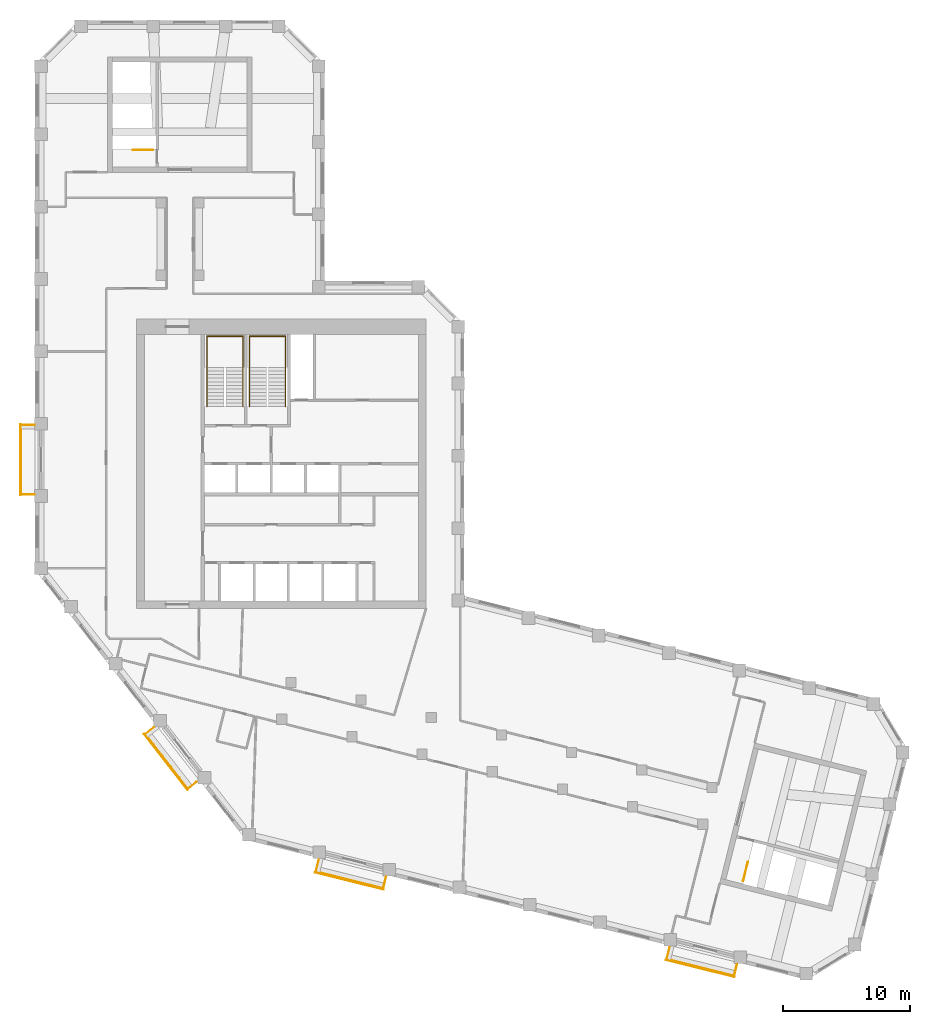
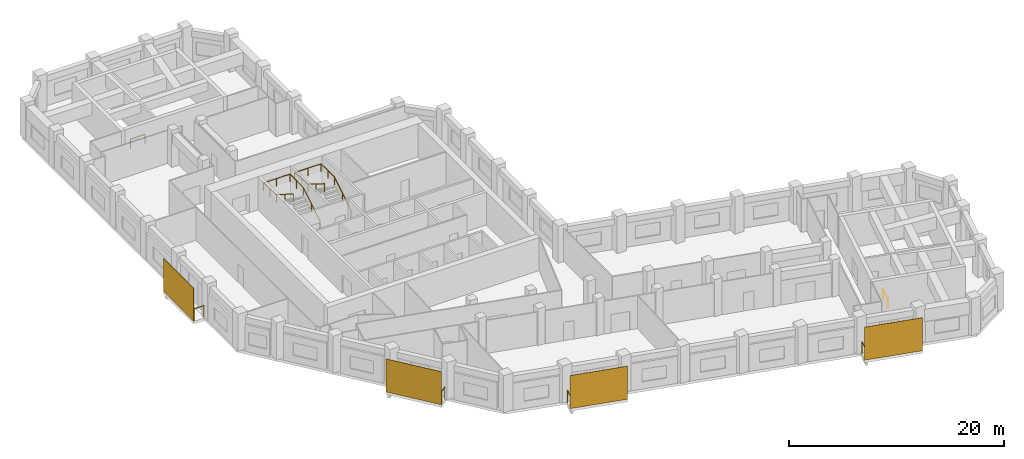
# One storey, part 9 of 9: 8 railings, 4 shading devices.
"""IFC4 building model written with IfcOpenShell, lengths in metres."""

from ifc_helpers import new_model, si_unit, direction, frame, origin, origin_2d, place, context, subcontext, project, spatial, rectangle, circle, extrude, material, layer, layer_set, type_object, element, save


model = new_model("IFC4")

# Units and contexts
model_context = context("Model", 3, precision=1e-05, world=origin(), true_north=direction((0.0, 1.0)))
body_context = subcontext(model_context, "Body", "Model", "MODEL_VIEW")
ifc_project = project(units=[si_unit("LENGTHUNIT", "METRE"), si_unit("AREAUNIT", "SQUARE_METRE"), si_unit("VOLUMEUNIT", "CUBIC_METRE"), si_unit("PLANEANGLEUNIT", "RADIAN"), si_unit("MASSUNIT", "GRAM", prefix="KILO")], contexts=[model_context])

# Site, building, storey
site_placement = place(None, origin())
site = spatial("IfcSite", under=ifc_project, at=site_placement, CompositionType="ELEMENT")
building_placement = place(site_placement, origin())
building = spatial("IfcBuilding", under=site, at=building_placement, Name="Meshkara Civic Tower", CompositionType="ELEMENT")
storey_placement = place(building_placement, frame((0.0, 0.0, 344.39990234375)))
storey = spatial("IfcBuildingStorey", under=building, at=storey_placement, Name="L79", CompositionType="ELEMENT", Elevation=344.39990234375)

# Railings
ifc_material_1 = material(Name="Steel S355", Category="steel")
railing_type_1 = type_object("IfcRailingType", Name="BALUSTRADE GUARD 1400", PredefinedType="BALUSTRADE", material=ifc_material_1)
railing_1_placement = place(storey_placement, frame((-0.050048828125, 28.534912109375, 0.0)))
element("IfcRailing", 1, at=railing_1_placement, inside=storey, type_object=railing_type_1, Name="Balcony guard", PredefinedType="BALUSTRADE", context=body_context, shape_type="SweptSolid", body=[
    extrude(circle(Radius=0.02392578125, at=origin_2d()), frame((0.0, 0.0, 1.3759765625), z_axis=(-1.0, 0.0, 0.0), x_axis=(0.0, -1.0, 0.0)), (0.0, 0.0, 1.0), 1.06005859375),
    extrude(circle(Radius=0.02392578125, at=origin_2d()), frame((-1.06005859375, 0.0, 1.3759765625), z_axis=(0.0, -1.0, 0.0), x_axis=(1.0, 0.0, 0.0)), (0.0, 0.0, 1.0), 5.4599609375),
    extrude(circle(Radius=0.02392578125, at=origin_2d()), frame((-1.06005859375, -5.4599609375, 1.3759765625), z_axis=(1.0, 0.0, 0.0), x_axis=(0.0, 1.0, 0.0)), (0.0, 0.0, 1.0), 1.06005859375),
    extrude(circle(Radius=0.02099609375, at=origin_2d()), origin(), (0.0, 0.0, 1.0), 1.351806640625),
    extrude(circle(Radius=0.02099609375, at=origin_2d()), frame((-1.06005859375, 0.0, 0.0)), (0.0, 0.0, 1.0), 1.351806640625),
    extrude(circle(Radius=0.02099609375, at=origin_2d()), frame((-1.06005859375, -1.092041015625, 0.0)), (0.0, 0.0, 1.0), 1.351806640625),
    extrude(circle(Radius=0.02099609375, at=origin_2d()), frame((-1.06005859375, -2.18408203125, 0.0)), (0.0, 0.0, 1.0), 1.351806640625),
    extrude(circle(Radius=0.02099609375, at=origin_2d()), frame((-1.06005859375, -3.27587890625, 0.0)), (0.0, 0.0, 1.0), 1.351806640625),
    extrude(circle(Radius=0.02099609375, at=origin_2d()), frame((-1.06005859375, -4.367919921875, 0.0)), (0.0, 0.0, 1.0), 1.351806640625),
    extrude(circle(Radius=0.02099609375, at=origin_2d()), frame((-1.06005859375, -5.4599609375, 0.0)), (0.0, 0.0, 1.0), 1.351806640625),
    extrude(circle(Radius=0.02099609375, at=origin_2d()), frame((0.0, -5.4599609375, 0.0)), (0.0, 0.0, 1.0), 1.351806640625),
])
railing_2_placement = place(storey_placement, frame((9.35400390625, 4.718017578125, 0.0)))
element("IfcRailing", 2, at=railing_2_placement, inside=storey, type_object=railing_type_1, Name="Balcony guard", PredefinedType="BALUSTRADE", context=body_context, shape_type="SweptSolid", body=[
    extrude(circle(Radius=0.02392578125, at=origin_2d()), frame((0.0, 0.0, 1.3759765625), z_axis=(-0.788063205069, -0.61559433462, 0.0), x_axis=(0.61559433462, -0.788063205069, 0.0)), (0.0, 0.0, 1.0), 0.85791015625),
    extrude(circle(Radius=0.02392578125, at=origin_2d()), frame((-0.676025390625, -0.528076171875, 1.3759765625), z_axis=(0.615660530481, -0.788011491799, 0.0), x_axis=(0.788011491799, 0.615660530481, 0.0)), (0.0, 0.0, 1.0), 5.459228515625),
    extrude(circle(Radius=0.02392578125, at=origin_2d()), frame((2.68505859375, -4.830078125, 1.3759765625), z_axis=(0.788063205069, 0.61559433462, 0.0), x_axis=(-0.61559433462, 0.788063205069, 0.0)), (0.0, 0.0, 1.0), 0.85791015625),
    extrude(circle(Radius=0.02099609375, at=origin_2d()), origin(), (0.0, 0.0, 1.0), 1.351806640625),
    extrude(circle(Radius=0.02099609375, at=origin_2d()), frame((-0.676025390625, -0.528076171875, 0.0)), (0.0, 0.0, 1.0), 1.351806640625),
    extrude(circle(Radius=0.02099609375, at=origin_2d()), frame((-0.00390625, -1.388427734375, 0.0)), (0.0, 0.0, 1.0), 1.351806640625),
    extrude(circle(Radius=0.02099609375, at=origin_2d()), frame((0.66845703125, -2.248779296875, 0.0)), (0.0, 0.0, 1.0), 1.351806640625),
    extrude(circle(Radius=0.02099609375, at=origin_2d()), frame((1.340576171875, -3.109375, 0.0)), (0.0, 0.0, 1.0), 1.351806640625),
    extrude(circle(Radius=0.02099609375, at=origin_2d()), frame((2.012939453125, -3.9697265625, 0.0)), (0.0, 0.0, 1.0), 1.351806640625),
    extrude(circle(Radius=0.02099609375, at=origin_2d()), frame((2.68505859375, -4.830078125, 0.0)), (0.0, 0.0, 1.0), 1.351806640625),
    extrude(circle(Radius=0.02099609375, at=origin_2d()), frame((3.361083984375, -4.302001953125, 0.0)), (0.0, 0.0, 1.0), 1.351806640625),
])
railing_3_placement = place(storey_placement, frame((22.35205078125, -5.73388671875, 0.0)))
element("IfcRailing", 3, at=railing_3_placement, inside=storey, type_object=railing_type_1, Name="Balcony guard", PredefinedType="BALUSTRADE", context=body_context, shape_type="SweptSolid", body=[
    extrude(circle(Radius=0.02392578125, at=origin_2d()), frame((0.0, 0.0, 1.3759765625), z_axis=(-0.241993877266, -0.970277776395, 0.0), x_axis=(0.970277776395, -0.241993877266, 0.0)), (0.0, 0.0, 1.0), 0.954345703125),
    extrude(circle(Radius=0.02392578125, at=origin_2d()), frame((-0.23095703125, -0.926025390625, 1.3759765625), z_axis=(0.970321130255, -0.241819983006, 0.0), x_axis=(0.241819983006, 0.970321130255, 0.0)), (0.0, 0.0, 1.0), 5.458984375),
    extrude(circle(Radius=0.02392578125, at=origin_2d()), frame((5.06591796875, -2.24609375, 1.3759765625), z_axis=(0.242234364289, 0.970217765637, 0.0), x_axis=(-0.970217765637, 0.242234364289, 0.0)), (0.0, 0.0, 1.0), 0.953369140625),
    extrude(circle(Radius=0.02099609375, at=origin_2d()), origin(), (0.0, 0.0, 1.0), 1.351806640625),
    extrude(circle(Radius=0.02099609375, at=origin_2d()), frame((-0.23095703125, -0.926025390625, 0.0)), (0.0, 0.0, 1.0), 1.351806640625),
    extrude(circle(Radius=0.02099609375, at=origin_2d()), frame((0.828369140625, -1.18994140625, 0.0)), (0.0, 0.0, 1.0), 1.351806640625),
    extrude(circle(Radius=0.02099609375, at=origin_2d()), frame((1.8876953125, -1.4541015625, 0.0)), (0.0, 0.0, 1.0), 1.351806640625),
    extrude(circle(Radius=0.02099609375, at=origin_2d()), frame((2.947265625, -1.718017578125, 0.0)), (0.0, 0.0, 1.0), 1.351806640625),
    extrude(circle(Radius=0.02099609375, at=origin_2d()), frame((4.006591796875, -1.982177734375, 0.0)), (0.0, 0.0, 1.0), 1.351806640625),
    extrude(circle(Radius=0.02099609375, at=origin_2d()), frame((5.06591796875, -2.24609375, 0.0)), (0.0, 0.0, 1.0), 1.351806640625),
    extrude(circle(Radius=0.02099609375, at=origin_2d()), frame((5.296875, -1.321044921875, 0.0)), (0.0, 0.0, 1.0), 1.351806640625),
])
railing_4_placement = place(storey_placement, frame((50.0048828125, -12.62890625, 0.0)))
element("IfcRailing", 4, at=railing_4_placement, inside=storey, type_object=railing_type_1, Name="Balcony guard", PredefinedType="BALUSTRADE", context=body_context, shape_type="SweptSolid", body=[
    extrude(circle(Radius=0.02392578125, at=origin_2d()), frame((0.0, 0.0, 1.3759765625), z_axis=(-0.242234364289, -0.970217765637, 0.0), x_axis=(0.970217765637, -0.242234364289, 0.0)), (0.0, 0.0, 1.0), 0.953369140625),
    extrude(circle(Radius=0.02392578125, at=origin_2d()), frame((-0.23095703125, -0.925048828125, 1.3759765625), z_axis=(0.970292231073, -0.24193591366, 0.0), x_axis=(0.24193591366, 0.970292231073, 0.0)), (0.0, 0.0, 1.0), 5.460205078125),
    extrude(circle(Radius=0.02392578125, at=origin_2d()), frame((5.067138671875, -2.24609375, 1.3759765625), z_axis=(0.242234364289, 0.970217765637, 0.0), x_axis=(-0.970217765637, 0.242234364289, 0.0)), (0.0, 0.0, 1.0), 0.953369140625),
    extrude(circle(Radius=0.02099609375, at=origin_2d()), origin(), (0.0, 0.0, 1.0), 1.351806640625),
    extrude(circle(Radius=0.02099609375, at=origin_2d()), frame((-0.23095703125, -0.925048828125, 0.0)), (0.0, 0.0, 1.0), 1.351806640625),
    extrude(circle(Radius=0.02099609375, at=origin_2d()), frame((0.82861328125, -1.189208984375, 0.0)), (0.0, 0.0, 1.0), 1.351806640625),
    extrude(circle(Radius=0.02099609375, at=origin_2d()), frame((1.88818359375, -1.453369140625, 0.0)), (0.0, 0.0, 1.0), 1.351806640625),
    extrude(circle(Radius=0.02099609375, at=origin_2d()), frame((2.947998046875, -1.7177734375, 0.0)), (0.0, 0.0, 1.0), 1.351806640625),
    extrude(circle(Radius=0.02099609375, at=origin_2d()), frame((4.007568359375, -1.98193359375, 0.0)), (0.0, 0.0, 1.0), 1.351806640625),
    extrude(circle(Radius=0.02099609375, at=origin_2d()), frame((5.067138671875, -2.24609375, 0.0)), (0.0, 0.0, 1.0), 1.351806640625),
    extrude(circle(Radius=0.02099609375, at=origin_2d()), frame((5.298095703125, -1.321044921875, 0.0)), (0.0, 0.0, 1.0), 1.351806640625),
])

# Shading devices
ifc_material_2 = material(Name="Perforated bronze anodised aluminium sheet", Category="aluminium")
ifc_layer = layer(ifc_material_2, 0.0400390625)
ifc_layer_set = layer_set([ifc_layer], Name="PERFORATED BRONZE SCREEN")
shading_device_type = type_object("IfcShadingDeviceType", Name="PERFORATED BRONZE SCREEN", PredefinedType="USERDEFINED", material=ifc_layer_set)
shading_device_1_placement = place(storey_placement, frame((-1.179931640625, 25.804931640625, 0.0), z_axis=(0.0, 0.0, 1.0), x_axis=(0.0, -1.0, 0.0)))
element("IfcShadingDevice", 5, at=shading_device_1_placement, inside=storey, type_object=shading_device_type, Name="Balcony screen", ObjectType="SCREEN", PredefinedType="USERDEFINED", context=body_context, shape_type="SweptSolid", body=[
    extrude(rectangle(XDim=5.580078125, YDim=0.0400390625, at=origin_2d()), origin(), (0.0, 0.0, 1.0), 3.75),
])
for number, where, z_axis, x_axis, name in (
    (6, (10.302978515625, 1.99609375, 0.0), (0.0, 0.0, 1.0), (0.615661475326, -0.788010753607, 0.0), "Balcony screen"),
    (7, (24.7529296875, -7.387939453125, 0.0), (0.0, 0.0, 1.0), (0.970295726276, -0.2419218956, 0.0), "Balcony screen"),
):
    element("IfcShadingDevice", number, at=place(storey_placement, frame(where, z_axis=z_axis, x_axis=x_axis)), inside=storey, type_object=shading_device_type, Name=name, ObjectType="SCREEN", PredefinedType="USERDEFINED", context=body_context, shape_type="SweptSolid", body=[
        extrude(rectangle(XDim=5.5791015625, YDim=0.0400390625, at=origin_2d()), origin(), (0.0, 0.0, 1.0), 3.75),
    ])
shading_device_2_placement = place(storey_placement, frame((52.406005859375, -14.282958984375, 0.0), z_axis=(0.0, 0.0, 1.0), x_axis=(0.970295726276, -0.2419218956, 0.0)))
element("IfcShadingDevice", 8, at=shading_device_2_placement, inside=storey, type_object=shading_device_type, Name="Balcony screen", ObjectType="SCREEN", PredefinedType="USERDEFINED", context=body_context, shape_type="SweptSolid", body=[
    extrude(rectangle(XDim=5.580078125, YDim=0.0400390625, at=origin_2d()), origin(), (0.0, 0.0, 1.0), 3.75),
])

# Railings
ifc_material_3 = material(Name="Steel guard", Category="steel")
railing_type_2 = type_object("IfcRailingType", Name="Stair guard 1100", PredefinedType="GUARDRAIL", material=ifc_material_3)
railing_5_placement = place(storey_placement, frame((9.27490234375, 50.219970703125, 0.0)))
element("IfcRailing", 9, at=railing_5_placement, inside=storey, type_object=railing_type_2, Name="L79 ESA5 top well guard 1", PredefinedType="GUARDRAIL", context=body_context, shape_type="SweptSolid", body=[
    extrude(circle(Radius=0.02392578125, at=origin_2d()), frame((0.0, 0.0, 1.076171875), z_axis=(-1.0, 0.0, 0.0), x_axis=(0.0, -1.0, 0.0)), (0.0, 0.0, 1.0), 1.5498046875),
    extrude(circle(Radius=0.02099609375, at=origin_2d()), origin(), (0.0, 0.0, 1.0), 1.052001953125),
    extrude(circle(Radius=0.02099609375, at=origin_2d()), frame((-1.5498046875, 0.0, 0.0)), (0.0, 0.0, 1.0), 1.052001953125),
])
railing_6_placement = place(storey_placement, frame((55.788818359375, -7.390869140625, 0.0)))
element("IfcRailing", 10, at=railing_6_placement, inside=storey, type_object=railing_type_2, Name="L79 ESB5 top well guard 1", PredefinedType="GUARDRAIL", context=body_context, shape_type="SweptSolid", body=[
    extrude(circle(Radius=0.02392578125, at=origin_2d()), frame((0.0, 0.0, 1.076171875), z_axis=(0.24209086911, 0.97025358082, 0.0), x_axis=(-0.97025358082, 0.24209086911, 0.0)), (0.0, 0.0, 1.0), 1.550048828125),
    extrude(circle(Radius=0.02099609375, at=origin_2d()), origin(), (0.0, 0.0, 1.0), 1.052001953125),
    extrude(circle(Radius=0.02099609375, at=origin_2d()), frame((0.375244140625, 1.50390625, 0.0)), (0.0, 0.0, 1.0), 1.052001953125),
])
ifc_material_4 = material(Name="Steel handrail", Category="steel")
railing_type_3 = type_object("IfcRailingType", Name="Stair handrail 900", PredefinedType="HANDRAIL", material=ifc_material_4)
railing_7_placement = place(storey_placement, frame((16.375, 30.0, 0.175048828125)))
element("IfcRailing", 11, at=railing_7_placement, inside=storey, type_object=railing_type_3, Name="L79 ST1 stair handrail 1", PredefinedType="HANDRAIL", context=body_context, shape_type="SweptSolid", body=[
    extrude(circle(Radius=0.02392578125, at=origin_2d()), frame((0.0, 0.0, 0.8759765625), z_axis=(0.0, 0.847998304005, 0.529998940003), x_axis=(-1.0, 0.0, 0.0)), (0.0, 0.0, 1.0), 3.632080078125),
    extrude(circle(Radius=0.02392578125, at=origin_2d()), frame((0.0, 3.080078125, 2.80078125), z_axis=(0.0, 1.0, 0.0), x_axis=(-1.0, 0.0, 0.0)), (0.0, 0.0, 1.0), 2.469970703125),
    extrude(circle(Radius=0.02392578125, at=origin_2d()), frame((0.0, 5.550048828125, 2.80078125), z_axis=(-1.0, 0.0, 0.0), x_axis=(0.0, -1.0, 0.0)), (0.0, 0.0, 1.0), 2.85009765625),
    extrude(circle(Radius=0.02392578125, at=origin_2d()), frame((-2.85009765625, 5.550048828125, 2.80078125), z_axis=(0.0, -0.997498084828, 0.070693498747), x_axis=(1.0, 0.0, 0.0)), (0.0, 0.0, 1.0), 2.47607421875),
    extrude(circle(Radius=0.02392578125, at=origin_2d()), frame((-2.85009765625, 3.080078125, 2.97607421875), z_axis=(0.0, -0.847998304005, 0.529998940003), x_axis=(1.0, 0.0, 0.0)), (0.0, 0.0, 1.0), 3.632080078125),
    extrude(circle(Radius=0.02099609375, at=origin_2d()), origin(), (0.0, 0.0, 1.0), 0.851806640625),
    extrude(circle(Radius=0.02099609375, at=origin_2d()), frame((0.0, 1.5400390625, 0.96240234375)), (0.0, 0.0, 1.0), 0.851806640625),
    extrude(circle(Radius=0.02099609375, at=origin_2d()), frame((0.0, 3.080078125, 1.925048828125)), (0.0, 0.0, 1.0), 0.851806640625),
    extrude(circle(Radius=0.02099609375, at=origin_2d()), frame((0.0, 4.31494140625, 1.925048828125)), (0.0, 0.0, 1.0), 0.851806640625),
    extrude(circle(Radius=0.02099609375, at=origin_2d()), frame((0.0, 5.550048828125, 1.925048828125)), (0.0, 0.0, 1.0), 0.851806640625),
    extrude(circle(Radius=0.02099609375, at=origin_2d()), frame((-1.425048828125, 5.550048828125, 1.925048828125)), (0.0, 0.0, 1.0), 0.851806640625),
    extrude(circle(Radius=0.02099609375, at=origin_2d()), frame((-2.85009765625, 5.550048828125, 1.925048828125)), (0.0, 0.0, 1.0), 0.851806640625),
    extrude(circle(Radius=0.02099609375, at=origin_2d()), frame((-2.85009765625, 4.31494140625, 2.0126953125)), (0.0, 0.0, 1.0), 0.851806640625),
    extrude(circle(Radius=0.02099609375, at=origin_2d()), frame((-2.85009765625, 3.080078125, 2.10009765625)), (0.0, 0.0, 1.0), 0.851806640625),
    extrude(circle(Radius=0.02099609375, at=origin_2d()), frame((-2.85009765625, 1.5400390625, 3.0625)), (0.0, 0.0, 1.0), 0.851806640625),
    extrude(circle(Radius=0.02099609375, at=origin_2d()), frame((-2.85009765625, 0.0, 4.025146484375)), (0.0, 0.0, 1.0), 0.851806640625),
])
railing_8_placement = place(storey_placement, frame((19.72509765625, 30.0, 0.175048828125)))
element("IfcRailing", 12, at=railing_8_placement, inside=storey, type_object=railing_type_3, Name="L79 ST2 stair handrail 1", PredefinedType="HANDRAIL", context=body_context, shape_type="SweptSolid", body=[
    extrude(circle(Radius=0.02392578125, at=origin_2d()), frame((0.0, 0.0, 0.8759765625), z_axis=(0.0, 0.847998304005, 0.529998940003), x_axis=(-1.0, 0.0, 0.0)), (0.0, 0.0, 1.0), 3.632080078125),
    extrude(circle(Radius=0.02392578125, at=origin_2d()), frame((0.0, 3.080078125, 2.80078125), z_axis=(0.0, 1.0, 0.0), x_axis=(-1.0, 0.0, 0.0)), (0.0, 0.0, 1.0), 2.469970703125),
    extrude(circle(Radius=0.02392578125, at=origin_2d()), frame((0.0, 5.550048828125, 2.80078125), z_axis=(-1.0, 0.0, 0.0), x_axis=(0.0, -1.0, 0.0)), (0.0, 0.0, 1.0), 2.85009765625),
    extrude(circle(Radius=0.02392578125, at=origin_2d()), frame((-2.85009765625, 5.550048828125, 2.80078125), z_axis=(0.0, -0.997498084828, 0.070693498747), x_axis=(1.0, 0.0, 0.0)), (0.0, 0.0, 1.0), 2.47607421875),
    extrude(circle(Radius=0.02392578125, at=origin_2d()), frame((-2.85009765625, 3.080078125, 2.97607421875), z_axis=(0.0, -0.847998304005, 0.529998940003), x_axis=(1.0, 0.0, 0.0)), (0.0, 0.0, 1.0), 3.632080078125),
    extrude(circle(Radius=0.02099609375, at=origin_2d()), origin(), (0.0, 0.0, 1.0), 0.851806640625),
    extrude(circle(Radius=0.02099609375, at=origin_2d()), frame((0.0, 1.5400390625, 0.96240234375)), (0.0, 0.0, 1.0), 0.851806640625),
    extrude(circle(Radius=0.02099609375, at=origin_2d()), frame((0.0, 3.080078125, 1.925048828125)), (0.0, 0.0, 1.0), 0.851806640625),
    extrude(circle(Radius=0.02099609375, at=origin_2d()), frame((0.0, 4.31494140625, 1.925048828125)), (0.0, 0.0, 1.0), 0.851806640625),
    extrude(circle(Radius=0.02099609375, at=origin_2d()), frame((0.0, 5.550048828125, 1.925048828125)), (0.0, 0.0, 1.0), 0.851806640625),
    extrude(circle(Radius=0.02099609375, at=origin_2d()), frame((-1.425048828125, 5.550048828125, 1.925048828125)), (0.0, 0.0, 1.0), 0.851806640625),
    extrude(circle(Radius=0.02099609375, at=origin_2d()), frame((-2.85009765625, 5.550048828125, 1.925048828125)), (0.0, 0.0, 1.0), 0.851806640625),
    extrude(circle(Radius=0.02099609375, at=origin_2d()), frame((-2.85009765625, 4.31494140625, 2.0126953125)), (0.0, 0.0, 1.0), 0.851806640625),
    extrude(circle(Radius=0.02099609375, at=origin_2d()), frame((-2.85009765625, 3.080078125, 2.10009765625)), (0.0, 0.0, 1.0), 0.851806640625),
    extrude(circle(Radius=0.02099609375, at=origin_2d()), frame((-2.85009765625, 1.5400390625, 3.0625)), (0.0, 0.0, 1.0), 0.851806640625),
    extrude(circle(Radius=0.02099609375, at=origin_2d()), frame((-2.85009765625, 0.0, 4.025146484375)), (0.0, 0.0, 1.0), 0.851806640625),
])

save(model, "model.ifc")
